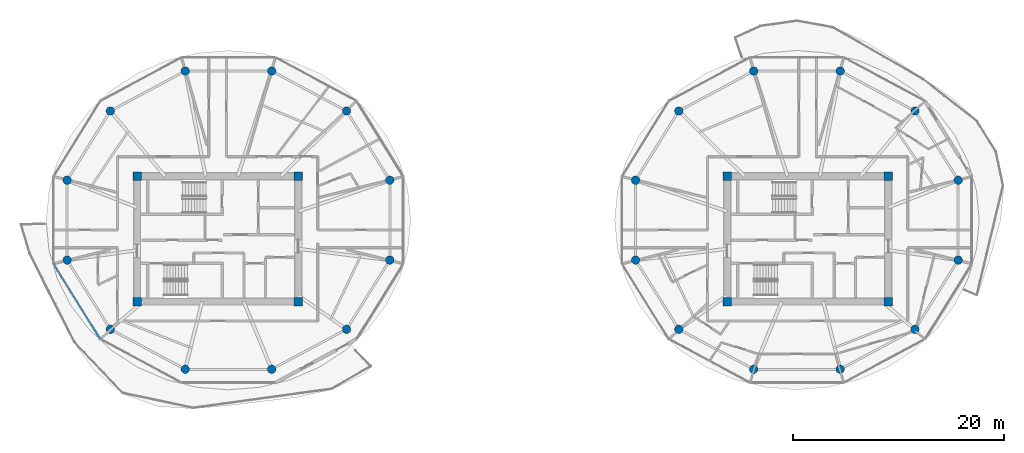
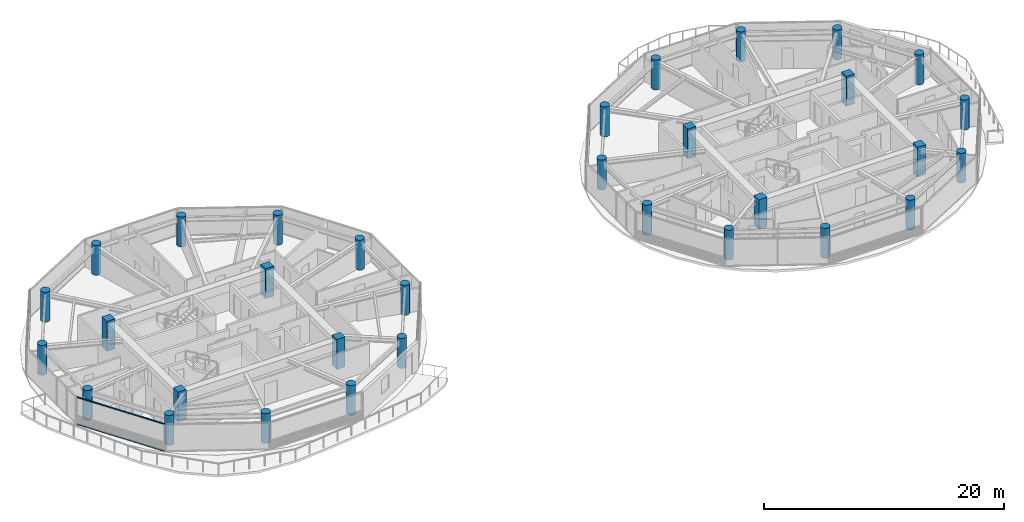
# One storey, part 1 of 23: 32 columns, 2 members, 1 element without a shape of its own.
"""IFC4 building model written with IfcOpenShell, lengths in metres."""

from ifc_helpers import new_model, si_unit, direction, frame, origin, origin_2d, place, context, subcontext, project, spatial, rectangle, circle, extrude, source, transform, mapped, material, layer, layer_set, material_profile, profile_set, type_object, type_shapes, element, aggregate, save


model = new_model("IFC4")

# Units and contexts
model_context = context("Model", 3, precision=1e-05, world=origin(), true_north=direction((0.0, 1.0)))
body_context = subcontext(model_context, "Body", "Model", "MODEL_VIEW")
ifc_project = project(units=[si_unit("LENGTHUNIT", "METRE"), si_unit("AREAUNIT", "SQUARE_METRE"), si_unit("VOLUMEUNIT", "CUBIC_METRE"), si_unit("PLANEANGLEUNIT", "RADIAN"), si_unit("MASSUNIT", "GRAM", prefix="KILO")], contexts=[model_context])

# Site, building, storey
site_placement = place(None, origin())
site = spatial("IfcSite", under=ifc_project, at=site_placement, CompositionType="ELEMENT")
building_placement = place(site_placement, origin())
building = spatial("IfcBuilding", under=site, at=building_placement, Name="Norrkilde Senior Care Towers", CompositionType="ELEMENT")
storey_placement = place(building_placement, frame((0.0, 0.0, 173.949951171875)))
storey = spatial("IfcBuildingStorey", under=building, at=storey_placement, Name="L54", CompositionType="ELEMENT", Elevation=173.949951171875)

# Columns
ifc_material_1 = material(Name="Concrete C60/75", Category="concrete")
ifc_material_profile_1 = material_profile(ifc_material_1, rectangle(XDim=0.800048828125, YDim=0.800048828125, at=origin_2d()), Name="RC COL 800x800")
ifc_profile_set_1 = profile_set([ifc_material_profile_1], Name="Concrete C60/75")
column_type_1 = type_object("IfcColumnType", Name="Column Core Corner Z3-Z4 800", PredefinedType="COLUMN", material=ifc_profile_set_1)
shared_shape_1 = source(origin(), body_context, "Body", "SweptSolid", [
    extrude(rectangle(XDim=0.800048828125, YDim=0.800048828125, at=origin_2d()), origin(), (0.0, 0.0, 1.0), 3.050048828125),
])
type_shapes(column_type_1, [shared_shape_1])
for number, where, z_axis, x_axis, name in (
    (1, (-35.64990234375, -5.949951171875, 0.0), (0.0, 0.0, 1.0), (1.0, 0.0, 0.0), "L54 Core W Corner Column 1"),
    (2, (-20.35009765625, -5.949951171875, 0.0), (0.0, 0.0, 1.0), (1.0, 0.0, 0.0), "L54 Core W Corner Column 2"),
    (3, (-20.35009765625, 5.949951171875, 0.0), (0.0, 0.0, 1.0), (1.0, 0.0, 0.0), "L54 Core W Corner Column 3"),
    (4, (-35.64990234375, 5.949951171875, 0.0), (0.0, 0.0, 1.0), (1.0, 0.0, 0.0), "L54 Core W Corner Column 4"),
    (5, (20.35009765625, -5.949951171875, 0.0), (0.0, 0.0, 1.0), (1.0, 0.0, 0.0), "L54 Core E Corner Column 1"),
    (6, (35.64990234375, -5.949951171875, 0.0), (0.0, 0.0, 1.0), (1.0, 0.0, 0.0), "L54 Core E Corner Column 2"),
    (7, (35.64990234375, 5.949951171875, 0.0), (0.0, 0.0, 1.0), (1.0, 0.0, 0.0), "L54 Core E Corner Column 3"),
    (8, (20.35009765625, 5.949951171875, 0.0), (0.0, 0.0, 1.0), (1.0, 0.0, 0.0), "L54 Core E Corner Column 4"),
):
    element("IfcColumn", number, at=place(storey_placement, frame(where, z_axis=z_axis, x_axis=x_axis)), inside=storey, type_object=column_type_1, Name=name, PredefinedType="COLUMN", context=body_context, shape_type="MappedRepresentation", body=[
        mapped(shared_shape_1, transform((0.0, 0.0, 0.0), x_axis=(1.0, 0.0, 0.0), y_axis=(0.0, 1.0, 0.0), z_axis=(0.0, 0.0, 1.0), scale=1.0)),
    ])
ifc_material_2 = material(Name="Concrete C50/60", Category="concrete")
ifc_material_profile_2 = material_profile(ifc_material_2, circle(Radius=0.39990234375, at=origin_2d()), Name="RC CIR 800")
ifc_profile_set_2 = profile_set([ifc_material_profile_2], Name="Concrete C50/60")
column_type_2 = type_object("IfcColumnType", Name="Column Perimeter Z3 800", PredefinedType="COLUMN", material=ifc_profile_set_2)
shared_shape_2 = source(origin(), body_context, "Body", "SweptSolid", [
    extrude(circle(Radius=0.39990234375, at=origin_2d()), origin(), (0.0, 0.0, 1.0), 3.050048828125),
])
type_shapes(column_type_2, [shared_shape_2])
for number, where, z_axis, x_axis, name in (
    (9, (-11.6650390625, 5.567138671875, 0.0), (0.0, 0.0, 1.0), (1.0, 0.0, 0.0), "L54 Drum W Perimeter Column 01"),
    (10, (-15.767333984375, 12.134521484375, 0.0), (0.0, 0.0, 1.0), (1.0, 0.0, 0.0), "L54 Drum W Perimeter Column 02"),
    (11, (-22.872802734375, 15.92626953125, 0.0), (0.0, 0.0, 1.0), (1.0, 0.0, 0.0), "L54 Drum W Perimeter Column 03"),
    (12, (-31.077392578125, 15.92626953125, 0.0), (0.0, 0.0, 1.0), (1.0, 0.0, 0.0), "L54 Drum W Perimeter Column 04"),
    (13, (-38.1826171875, 12.134521484375, 0.0), (0.0, 0.0, 1.0), (1.0, 0.0, 0.0), "L54 Drum W Perimeter Column 05"),
    (14, (-42.284912109375, 5.567138671875, 0.0), (0.0, 0.0, 1.0), (1.0, 0.0, 0.0), "L54 Drum W Perimeter Column 06"),
    (15, (-42.284912109375, -2.016357421875, 0.0), (0.0, 0.0, 1.0), (1.0, 0.0, 0.0), "L54 Drum W Perimeter Column 07"),
    (16, (-38.1826171875, -8.583740234375, 0.0), (0.0, 0.0, 1.0), (1.0, 0.0, 0.0), "L54 Drum W Perimeter Column 08"),
    (17, (-31.077392578125, -12.37548828125, 0.0), (0.0, 0.0, 1.0), (1.0, 0.0, 0.0), "L54 Drum W Perimeter Column 09"),
    (18, (-22.872802734375, -12.37548828125, 0.0), (0.0, 0.0, 1.0), (1.0, 0.0, 0.0), "L54 Drum W Perimeter Column 10"),
    (19, (-15.767333984375, -8.583740234375, 0.0), (0.0, 0.0, 1.0), (1.0, 0.0, 0.0), "L54 Drum W Perimeter Column 11"),
    (20, (-11.6650390625, -2.016357421875, 0.0), (0.0, 0.0, 1.0), (1.0, 0.0, 0.0), "L54 Drum W Perimeter Column 12"),
    (21, (42.284912109375, 5.567138671875, 0.0), (0.0, 0.0, 1.0), (1.0, 0.0, 0.0), "L54 Drum E Perimeter Column 01"),
    (22, (38.1826171875, 12.134521484375, 0.0), (0.0, 0.0, 1.0), (1.0, 0.0, 0.0), "L54 Drum E Perimeter Column 02"),
    (23, (31.077392578125, 15.92626953125, 0.0), (0.0, 0.0, 1.0), (1.0, 0.0, 0.0), "L54 Drum E Perimeter Column 03"),
    (24, (22.872802734375, 15.92626953125, 0.0), (0.0, 0.0, 1.0), (1.0, 0.0, 0.0), "L54 Drum E Perimeter Column 04"),
    (25, (15.767333984375, 12.134521484375, 0.0), (0.0, 0.0, 1.0), (1.0, 0.0, 0.0), "L54 Drum E Perimeter Column 05"),
    (26, (11.6650390625, 5.567138671875, 0.0), (0.0, 0.0, 1.0), (1.0, 0.0, 0.0), "L54 Drum E Perimeter Column 06"),
    (27, (11.6650390625, -2.016357421875, 0.0), (0.0, 0.0, 1.0), (1.0, 0.0, 0.0), "L54 Drum E Perimeter Column 07"),
    (28, (15.767333984375, -8.583740234375, 0.0), (0.0, 0.0, 1.0), (1.0, 0.0, 0.0), "L54 Drum E Perimeter Column 08"),
    (29, (22.872802734375, -12.37548828125, 0.0), (0.0, 0.0, 1.0), (1.0, 0.0, 0.0), "L54 Drum E Perimeter Column 09"),
    (30, (31.077392578125, -12.37548828125, 0.0), (0.0, 0.0, 1.0), (1.0, 0.0, 0.0), "L54 Drum E Perimeter Column 10"),
    (31, (38.1826171875, -8.583740234375, 0.0), (0.0, 0.0, 1.0), (1.0, 0.0, 0.0), "L54 Drum E Perimeter Column 11"),
    (32, (42.284912109375, -2.016357421875, 0.0), (0.0, 0.0, 1.0), (1.0, 0.0, 0.0), "L54 Drum E Perimeter Column 12"),
):
    element("IfcColumn", number, at=place(storey_placement, frame(where, z_axis=z_axis, x_axis=x_axis)), inside=storey, type_object=column_type_2, Name=name, PredefinedType="COLUMN", context=body_context, shape_type="MappedRepresentation", body=[
        mapped(shared_shape_2, transform((0.0, 0.0, 0.0), x_axis=(1.0, 0.0, 0.0), y_axis=(0.0, 1.0, 0.0), z_axis=(0.0, 0.0, 1.0), scale=1.0)),
    ])

# Curtain wall, members
ifc_material_3 = material(Name="Triple Low-E Insulated Glazing", Category="glass")
ifc_layer = layer(ifc_material_3, 0.18994140625)
ifc_layer_set = layer_set([ifc_layer], Name="Triple Low-E Insulated Glazing")
curtain_wall_type = type_object("IfcCurtainWallType", Name="CW4 Zone 3 Senior Residence Curtain Wall", PredefinedType="NOTDEFINED", material=ifc_layer_set)
curtain_wall_placement = place(storey_placement, origin())
curtain_wall = element("IfcCurtainWall", 33, at=curtain_wall_placement, inside=storey, type_object=curtain_wall_type, Name="L54 Drum W Curtain Wall 06", PredefinedType="NOTDEFINED")
ifc_material_4 = material(Name="Anodised Aluminium", Category="aluminium")
ifc_material_profile_3 = material_profile(ifc_material_4, rectangle(XDim=0.06005859375, YDim=0.1201171875, at=origin_2d()), Name="ALU TRAN 60x120")
ifc_profile_set_3 = profile_set([ifc_material_profile_3], Name="Anodised Aluminium")
member_type = type_object("IfcMemberType", Name="Curtain Wall Transom Typical 60x120", PredefinedType="USERDEFINED", material=ifc_profile_set_3)
shared_shape_3 = source(origin(), body_context, "Body", "SweptSolid", [
    extrude(rectangle(XDim=0.06005859375, YDim=0.1201171875, at=origin_2d()), origin(), (0.0, 0.0, 1.0), 8.301513671875),
])
type_shapes(member_type, [shared_shape_3])
member_1_placement = place(storey_placement, frame((-39.157470703125, -9.468994140625, 0.030029296875), z_axis=(-0.527368718394, 0.849636531029, 0.0), x_axis=(-0.849636531029, -0.527368718394, 0.0)))
member_1 = element("IfcMember", 34, at=member_1_placement, type_object=member_type, Name="CW-4 transom 1.1", ObjectType="TRANSOM", PredefinedType="USERDEFINED", context=body_context, shape_type="MappedRepresentation", body=[
    mapped(shared_shape_3, transform((0.0, 0.0, 0.0), x_axis=(1.0, 0.0, 0.0), y_axis=(0.0, 1.0, 0.0), z_axis=(0.0, 0.0, 1.0), scale=1.0)),
])
member_2_placement = place(storey_placement, frame((-39.157470703125, -9.468994140625, 2.780029296875), z_axis=(-0.527368718394, 0.849636531029, 0.0), x_axis=(-0.849636531029, -0.527368718394, 0.0)))
member_2 = element("IfcMember", 35, at=member_2_placement, type_object=member_type, Name="CW-4 transom 1.2", ObjectType="TRANSOM", PredefinedType="USERDEFINED", context=body_context, shape_type="MappedRepresentation", body=[
    mapped(shared_shape_3, transform((0.0, 0.0, 0.0), x_axis=(1.0, 0.0, 0.0), y_axis=(0.0, 1.0, 0.0), z_axis=(0.0, 0.0, 1.0), scale=1.0)),
])
aggregate(curtain_wall, [member_1, member_2])

save(model, "model.ifc")
